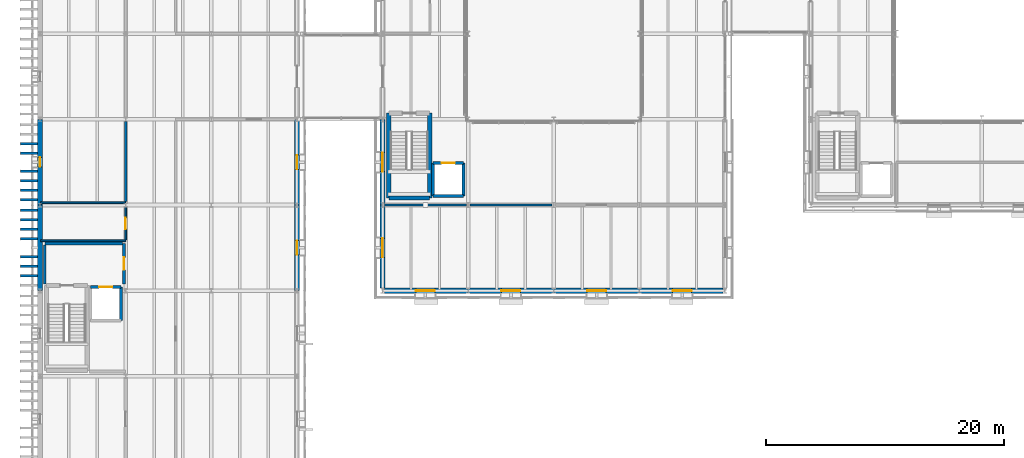
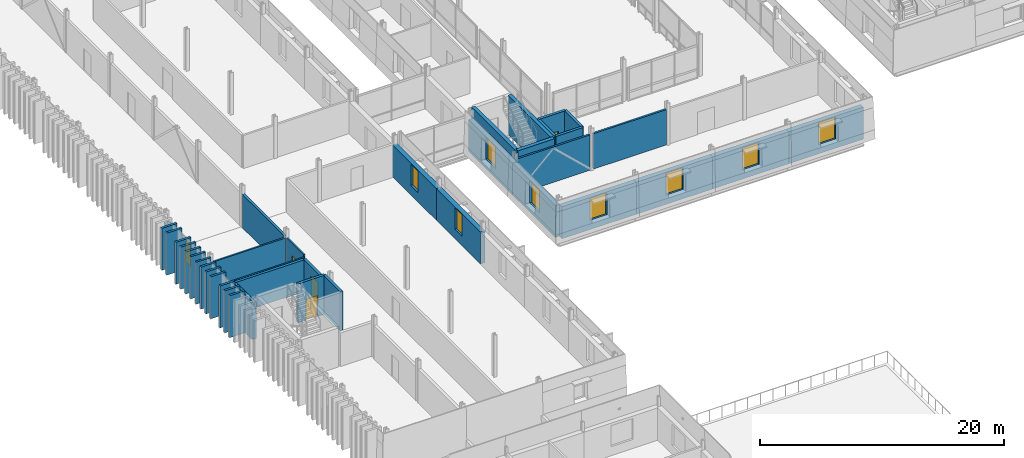
# One storey, part 67 of 115: 41 walls, 9 windows, 4 doors, 13 openings.
"""IFC4 building model written with IfcOpenShell, lengths in metres."""

from ifc_helpers import new_model, si_unit, direction, frame, frame_2d, origin, place, context, subcontext, project, spatial, rectangle, extrude, material, layer, layer_set, type_object, element, fill, save


model = new_model("IFC4")

# Units and contexts
model_context = context("Model", 3, precision=1e-05, world=origin(), true_north=direction((0.0, 1.0)))
body_context = subcontext(model_context, "Body", "Model", "MODEL_VIEW")
ifc_project = project(units=[si_unit("LENGTHUNIT", "METRE"), si_unit("AREAUNIT", "SQUARE_METRE"), si_unit("VOLUMEUNIT", "CUBIC_METRE"), si_unit("PLANEANGLEUNIT", "RADIAN"), si_unit("MASSUNIT", "GRAM", prefix="KILO")], contexts=[model_context])

# Site, building, storey
site_placement = place(None, origin())
site = spatial("IfcSite", under=ifc_project, at=site_placement, CompositionType="ELEMENT")
building_placement = place(site_placement, origin())
building = spatial("IfcBuilding", under=site, at=building_placement, Name="Narikvali Park Central Library", CompositionType="ELEMENT")
storey_placement = place(building_placement, frame((0.0, 0.0, 10.199951171875)))
storey = spatial("IfcBuildingStorey", under=building, at=storey_placement, Name="L02", CompositionType="ELEMENT", Elevation=10.199951171875)

# Wall
ifc_material_1 = material(Name="Reinforced Masonry Blockwork C30/37", Category="masonry")
ifc_layer_1 = layer(ifc_material_1, 0.219970703125, Name="Reinforced Masonry Blockwork C30/37")
ifc_layer_set_1 = layer_set([ifc_layer_1], Name="Reinforced Masonry Blockwork C30/37")
wall_type_1 = type_object("IfcWallType", Name="Archive Fire-Resisting Partition 220", PredefinedType="SOLIDWALL", material=ifc_layer_set_1)
wall_1_placement = place(storey_placement, frame((7.199951171875, 57.876953125, 0.0), z_axis=(0.0, 0.0, 1.0), x_axis=(0.0, 1.0, 0.0)))
element("IfcWall", 1, at=wall_1_placement, inside=storey, type_object=wall_type_1, Name="Compact Mobile Shelving Stacks L02 Partition E", PredefinedType="SOLIDWALL", context=body_context, shape_type="SweptSolid", body=[
    extrude(rectangle(XDim=6.7490234375, YDim=0.219970703125, at=frame_2d((3.37451171875, 0.0))), origin(), (0.0, 0.0, 1.0), 3.344970703125),
])

# Wall, opening, door
ifc_material_2 = material(Name="Autoclaved Concrete Blockwork C25/30", Category="masonry")
ifc_layer_2 = layer(ifc_material_2, 0.239990234375, Name="Autoclaved Concrete Blockwork C25/30")
ifc_layer_set_2 = layer_set([ifc_layer_2], Name="Autoclaved Concrete Blockwork C25/30")
wall_type_2 = type_object("IfcWallType", Name="Fire Compartment Concrete Block Wall 240", PredefinedType="SOLIDWALL", material=ifc_layer_set_2)
wall_2_placement = place(storey_placement, frame((7.050048828125, 50.949951171875, 0.0), z_axis=(0.0, 0.0, 1.0), x_axis=(0.0, 1.0, 0.0)))
wall_2 = element("IfcWall", 2, at=wall_2_placement, inside=storey, type_object=wall_type_2, Name="C5A L02 Firefighting Lobby Wall E", PredefinedType="SOLIDWALL", context=body_context, shape_type="SweptSolid", body=[
    extrude(rectangle(XDim=3.400146484375, YDim=0.239990234375, at=frame_2d((1.7001953125, 0.0))), origin(), (0.0, 0.0, 1.0), 3.16015625),
])
opening_1_placement = place(wall_2_placement, frame((1.199951171875, 0.0, 0.0)))
opening_1 = element("IfcOpeningElement", 3, at=opening_1_placement, cuts=wall_2, Name="Opening FF-043", PredefinedType="OPENING", context=body_context, shape_type="SweptSolid", body=[
    extrude(rectangle(XDim=1.050048828125, YDim=2.14990234375, at=frame_2d((0.52490234375, 1.074951171875))), frame((0.0, 0.1318359375, 0.0), z_axis=(0.0, -1.0, 0.0), x_axis=(1.0, 0.0, 0.0)), (0.0, 0.0, 1.0), 0.263916015625),
])
ifc_material_3 = material(Name="Powder-Coated Steel S275 Fire Leaf", Category="steel")
door_type_1 = type_object("IfcDoorType", Name="Firefighting Lobby Single Fire Door 1050x2150", OperationType="SINGLE_SWING_RIGHT", PredefinedType="DOOR", material=ifc_material_3)
door_1_placement = place(opening_1_placement, frame((1.050048828125, 0.0, 0.0), z_axis=(0.0, 0.0, 1.0), x_axis=(-1.0, 0.0, 0.0)))
door_1 = element("IfcDoor", 4, at=door_1_placement, inside=storey, type_object=door_type_1, Name="FF-01 L02 Firefighting Lobby Corridor Door", OperationType="SINGLE_SWING_RIGHT", OverallHeight=2.14990234375, OverallWidth=1.050048828125, PredefinedType="DOOR", context=body_context, shape_type="SweptSolid", body=[
    extrude(rectangle(XDim=1.050048828125, YDim=2.14990234375, at=frame_2d((0.52490234375, 1.074951171875))), frame((0.0, 0.02490234375, 0.0), z_axis=(0.0, -1.0, 0.0), x_axis=(1.0, 0.0, 0.0)), (0.0, 0.0, 1.0), 0.050048828125),
])
fill(opening_1, door_1)

# Walls
wall_3_placement = place(storey_placement, frame((0.39990234375, 54.35009765625, 0.0), z_axis=(0.0, 0.0, 1.0), x_axis=(1.0, 0.0, 0.0)))
element("IfcWall", 5, at=wall_3_placement, inside=storey, type_object=wall_type_2, Name="C5A L02 Firefighting Lobby Wall N", PredefinedType="SOLIDWALL", context=body_context, shape_type="SweptSolid", body=[
    extrude(rectangle(XDim=6.52001953125, YDim=0.239990234375, at=frame_2d((3.260009765625, 0.0))), origin(), (0.0, 0.0, 1.0), 3.16015625),
])
wall_4_placement = place(storey_placement, frame((0.39990234375, 50.949951171875, 0.0), z_axis=(0.0, 0.0, 1.0), x_axis=(0.0, 1.0, 0.0)))
element("IfcWall", 6, at=wall_4_placement, inside=storey, type_object=wall_type_2, Name="C5A L02 Firefighting Lobby Wall W", PredefinedType="SOLIDWALL", context=body_context, shape_type="SweptSolid", body=[
    extrude(rectangle(XDim=3.27001953125, YDim=0.239990234375, at=frame_2d((1.635009765625, 0.0))), origin(), (0.0, 0.0, 1.0), 3.16015625),
])
ifc_material_4 = material(Name="Kiln-Fired Terracotta Red Brick Masonry", Category="masonry")
ifc_layer_3 = layer(ifc_material_4, 0.199951171875, Name="Kiln-Fired Terracotta Red Brick Masonry")
ifc_layer_set_3 = layer_set([ifc_layer_3], Name="Kiln-Fired Terracotta Red Brick Masonry")
wall_type_3 = type_object("IfcWallType", Name="Kiln-Fired Red Brick Vertical Fin Wall 200", PredefinedType="SOLIDWALL", material=ifc_layer_set_3)
for number, where, z_axis, x_axis, name in (
    (7, (-1.659912109375, 51.64990234375, 0.0), (0.0, 0.0, 1.0), (1.0, 0.0, 0.0), "West Stacks Red Brick Vertical Fin Pier 129"),
    (8, (-1.659912109375, 52.449951171875, 0.0), (0.0, 0.0, 1.0), (1.0, 0.0, 0.0), "West Stacks Red Brick Vertical Fin Pier 135"),
    (9, (-1.659912109375, 53.25, 0.0), (0.0, 0.0, 1.0), (1.0, 0.0, 0.0), "West Stacks Red Brick Vertical Fin Pier 141"),
    (10, (-1.659912109375, 54.75, 0.0), (0.0, 0.0, 1.0), (1.0, 0.0, 0.0), "West Stacks Red Brick Vertical Fin Pier 147"),
    (11, (-1.659912109375, 55.550048828125, 0.0), (0.0, 0.0, 1.0), (1.0, 0.0, 0.0), "West Stacks Red Brick Vertical Fin Pier 153"),
    (12, (-1.659912109375, 56.35009765625, 0.0), (0.0, 0.0, 1.0), (1.0, 0.0, 0.0), "West Stacks Red Brick Vertical Fin Pier 159"),
    (13, (-1.659912109375, 57.14990234375, 0.0), (0.0, 0.0, 1.0), (1.0, 0.0, 0.0), "West Stacks Red Brick Vertical Fin Pier 165"),
    (14, (-1.659912109375, 58.050048828125, 0.0), (0.0, 0.0, 1.0), (1.0, 0.0, 0.0), "West Stacks Red Brick Vertical Fin Pier 171"),
    (15, (-1.659912109375, 58.85009765625, 0.0), (0.0, 0.0, 1.0), (1.0, 0.0, 0.0), "West Stacks Red Brick Vertical Fin Pier 177"),
    (16, (-1.659912109375, 59.64990234375, 0.0), (0.0, 0.0, 1.0), (1.0, 0.0, 0.0), "West Stacks Red Brick Vertical Fin Pier 183"),
    (17, (-1.659912109375, 60.449951171875, 0.0), (0.0, 0.0, 1.0), (1.0, 0.0, 0.0), "West Stacks Red Brick Vertical Fin Pier 189"),
    (18, (-1.659912109375, 61.949951171875, 0.0), (0.0, 0.0, 1.0), (1.0, 0.0, 0.0), "West Stacks Red Brick Vertical Fin Pier 195"),
    (19, (-1.659912109375, 62.75, 0.0), (0.0, 0.0, 1.0), (1.0, 0.0, 0.0), "West Stacks Red Brick Vertical Fin Pier 201"),
):
    element("IfcWall", number, at=place(storey_placement, frame(where, z_axis=z_axis, x_axis=x_axis)), inside=storey, type_object=wall_type_3, Name=name, PredefinedType="SOLIDWALL", context=body_context, shape_type="SweptSolid", body=[
        extrude(rectangle(XDim=1.43994140625, YDim=0.199951171875, at=frame_2d((0.719970703125, 0.0))), origin(), (0.0, 0.0, 1.0), 4.199951171875),
    ])
ifc_material_5 = material(Name="Moisture-Resistant Cement Board on Steel Studs", Category="steel")
ifc_layer_4 = layer(ifc_material_5, 0.14990234375, Name="Moisture-Resistant Cement Board on Steel Studs")
ifc_layer_set_4 = layer_set([ifc_layer_4], Name="Moisture-Resistant Cement Board on Steel Studs")
wall_type_4 = type_object("IfcWallType", Name="Moisture-Resistant WC Partition 150", PredefinedType="PARTITIONING", material=ifc_layer_set_4)
for number, where, z_axis, x_axis, name in (
    (20, (0.054931640625, 54.60009765625, 0.0), (0.0, 0.0, 1.0), (1.0, 0.0, 0.0), "Stacks Wing Accessible WC L02 Partition S"),
    (21, (0.054931640625, 57.800048828125, 0.0), (0.0, 0.0, 1.0), (1.0, 0.0, 0.0), "Stacks Wing Accessible WC L02 Partition N"),
):
    element("IfcWall", number, at=place(storey_placement, frame(where, z_axis=z_axis, x_axis=x_axis)), inside=storey, type_object=wall_type_4, Name=name, PredefinedType="PARTITIONING", context=body_context, shape_type="SweptSolid", body=[
        extrude(rectangle(XDim=7.14501953125, YDim=0.14990234375, at=frame_2d((3.572509765625, 0.0))), origin(), (0.0, 0.0, 1.0), 3.132080078125),
    ])

# Wall, opening, door
wall_5_placement = place(storey_placement, frame((7.199951171875, 54.677001953125, 0.0), z_axis=(0.0, 0.0, 1.0), x_axis=(0.0, 1.0, 0.0)))
wall_5 = element("IfcWall", 22, at=wall_5_placement, inside=storey, type_object=wall_type_4, Name="Stacks Wing Accessible WC L02 Partition E", PredefinedType="PARTITIONING", context=body_context, shape_type="SweptSolid", body=[
    extrude(rectangle(XDim=2.7490234375, YDim=0.14990234375, at=frame_2d((1.37451171875, 0.0))), origin(), (0.0, 0.0, 1.0), 3.344970703125),
])
opening_2_placement = place(wall_5_placement, frame((0.884521484375, 0.0, 0.0)))
opening_2 = element("IfcOpeningElement", 23, at=opening_2_placement, cuts=wall_5, Name="Opening ID-0020", PredefinedType="OPENING", context=body_context, shape_type="SweptSolid", body=[
    extrude(rectangle(XDim=0.97998046875, YDim=2.10009765625, at=frame_2d((0.489990234375, 1.050048828125))), frame((0.0, 0.0869140625, 0.0), z_axis=(0.0, -1.0, 0.0), x_axis=(1.0, 0.0, 0.0)), (0.0, 0.0, 1.0), 0.173828125),
])
ifc_material_6 = material(Name="Laminate Faced Hardwood Core", Category="wood")
door_type_2 = type_object("IfcDoorType", Name="Accessible WC Outward-Opening Door 980x2100", OperationType="SINGLE_SWING_RIGHT", PredefinedType="DOOR", material=ifc_material_6)
door_2_placement = place(opening_2_placement, frame((0.97998046875, 0.0, 0.0), z_axis=(0.0, 0.0, 1.0), x_axis=(-1.0, 0.0, 0.0)))
door_2 = element("IfcDoor", 24, at=door_2_placement, inside=storey, type_object=door_type_2, Name="Stacks Wing Accessible WC L02 Door ID-0020", OperationType="SINGLE_SWING_RIGHT", OverallHeight=2.10009765625, OverallWidth=0.97998046875, PredefinedType="DOOR", context=body_context, shape_type="SweptSolid", body=[
    extrude(rectangle(XDim=0.97998046875, YDim=2.10009765625, at=frame_2d((0.489990234375, 1.050048828125))), frame((0.0, 0.02490234375, 0.0), z_axis=(0.0, -1.0, 0.0), x_axis=(1.0, 0.0, 0.0)), (0.0, 0.0, 1.0), 0.050048828125),
])
fill(opening_2, door_2)

# Walls
ifc_material_7 = material(Name="Acoustic Gypsum on Steel Studs", Category="steel")
ifc_layer_5 = layer(ifc_material_7, 0.179931640625, Name="Acoustic Gypsum on Steel Studs")
ifc_layer_set_5 = layer_set([ifc_layer_5], Name="Acoustic Gypsum on Steel Studs")
wall_type_5 = type_object("IfcWallType", Name="Reading Room Acoustic Partition 180", PredefinedType="PARTITIONING", material=ifc_layer_set_5)
for number, where, z_axis, x_axis, name in (
    (25, (28.9541015625, 57.60009765625, 0.0), (0.0, 0.0, 1.0), (1.0, 0.0, 0.0), "Atrium Park-View Reading Room L02 Partition N"),
    (26, (36.154052734375, 57.60009765625, 0.0), (0.0, 0.0, 1.0), (1.0, 0.0, 0.0), "Atrium Park-View Reading Room L02 Partition N"),
):
    element("IfcWall", number, at=place(storey_placement, frame(where, z_axis=z_axis, x_axis=x_axis)), inside=storey, type_object=wall_type_5, Name=name, PredefinedType="PARTITIONING", context=body_context, shape_type="SweptSolid", body=[
        extrude(rectangle(XDim=6.891845703125, YDim=0.179931640625, at=frame_2d((3.44580078125, 0.0))), origin(), (0.0, 0.0, 1.0), 3.53515625),
    ])
ifc_material_8 = material(Name="Concrete C40/50", Category="concrete")
ifc_layer_6 = layer(ifc_material_8, 0.35009765625, Name="Concrete C40/50")
ifc_layer_set_6 = layer_set([ifc_layer_6], Name="Concrete C40/50")
wall_type_6 = type_object("IfcWallType", Name="Reinforced Concrete Core Shear Wall 350", PredefinedType="SHEAR", material=ifc_layer_set_6)
wall_6_placement = place(storey_placement, frame((29.330078125, 58.179931640625, 0.0), z_axis=(0.0, 0.0, 1.0), x_axis=(1.0, 0.0, 0.0)))
element("IfcWall", 27, at=wall_6_placement, inside=storey, type_object=wall_type_6, Name="C4A L02 Stair Core Shear Wall S", PredefinedType="SHEAR", context=body_context, shape_type="SweptSolid", body=[
    extrude(rectangle(XDim=3.43994140625, YDim=0.35009765625, at=frame_2d((1.719970703125, 0.0))), origin(), (0.0, 0.0, 1.0), 3.920166015625),
])
for number, where, z_axis, x_axis, name in (
    (28, (32.77001953125, 58.179931640625, 0.0), (0.0, 0.0, 1.0), (0.0, 1.0, 0.0), "C4A L02 Stair Core Shear Wall E"),
    (29, (29.330078125, 65.320068359375, 0.0), (0.0, 0.0, 1.0), (0.0, -1.0, 0.0), "C4A L02 Stair Core Shear Wall W"),
):
    element("IfcWall", number, at=place(storey_placement, frame(where, z_axis=z_axis, x_axis=x_axis)), inside=storey, type_object=wall_type_6, Name=name, PredefinedType="SHEAR", context=body_context, shape_type="SweptSolid", body=[
        extrude(rectangle(XDim=7.14013671875, YDim=0.35009765625, at=frame_2d((3.570068359375, 0.0))), origin(), (0.0, 0.0, 1.0), 3.920166015625),
    ])
ifc_layer_7 = layer(ifc_material_8, 0.25, Name="Concrete C40/50")
ifc_layer_set_7 = layer_set([ifc_layer_7], Name="Concrete C40/50")
wall_type_7 = type_object("IfcWallType", Name="Reinforced Concrete Lift Shaft Wall 250", PredefinedType="SHEAR", material=ifc_layer_set_7)
wall_7_placement = place(storey_placement, frame((33.050048828125, 58.35009765625, 0.0), z_axis=(0.0, 0.0, 1.0), x_axis=(1.0, 0.0, 0.0)))
element("IfcWall", 30, at=wall_7_placement, inside=storey, type_object=wall_type_7, Name="L-05 L02 Lift Shaft Wall S", PredefinedType="SHEAR", context=body_context, shape_type="SweptSolid", body=[
    extrude(rectangle(XDim=2.550048828125, YDim=0.25, at=frame_2d((1.27490234375, 0.0))), origin(), (0.0, 0.0, 1.0), 3.920166015625),
])
wall_8_placement = place(storey_placement, frame((35.60009765625, 58.35009765625, 0.0), z_axis=(0.0, 0.0, 1.0), x_axis=(0.0, 1.0, 0.0)))
element("IfcWall", 31, at=wall_8_placement, inside=storey, type_object=wall_type_7, Name="L-05 L02 Lift Shaft Wall E", PredefinedType="SHEAR", context=body_context, shape_type="SweptSolid", body=[
    extrude(rectangle(XDim=2.7998046875, YDim=0.25, at=frame_2d((1.39990234375, 0.0))), origin(), (0.0, 0.0, 1.0), 3.920166015625),
])

# Wall, opening, door
wall_9_placement = place(storey_placement, frame((35.60009765625, 61.14990234375, 0.0), z_axis=(0.0, 0.0, 1.0), x_axis=(-1.0, 0.0, 0.0)))
wall_9 = element("IfcWall", 32, at=wall_9_placement, inside=storey, type_object=wall_type_7, Name="L-05 L02 Lift Shaft Wall N", PredefinedType="SHEAR", context=body_context, shape_type="SweptSolid", body=[
    extrude(rectangle(XDim=2.550048828125, YDim=0.25, at=frame_2d((1.27490234375, 0.0))), origin(), (0.0, 0.0, 1.0), 3.920166015625),
])
opening_3_placement = place(wall_9_placement, frame((0.72509765625, 0.0, 0.0)))
opening_3 = element("IfcOpeningElement", 33, at=opening_3_placement, cuts=wall_9, Name="Opening LD-025", PredefinedType="OPENING", context=body_context, shape_type="SweptSolid", body=[
    extrude(rectangle(XDim=1.10009765625, YDim=2.10009765625, at=frame_2d((0.550048828125, 1.050048828125))), frame((0.0, 0.136962890625, 0.0), z_axis=(0.0, -1.0, 0.0), x_axis=(1.0, 0.0, 0.0)), (0.0, 0.0, 1.0), 0.27392578125),
])
ifc_material_9 = material(Name="Brushed Stainless Steel S355", Category="steel")
door_type_3 = type_object("IfcDoorType", Name="Passenger Lift Sliding Landing Door 1100x2100", OperationType="SLIDING_TO_LEFT", PredefinedType="DOOR", material=ifc_material_9)
door_3_placement = place(opening_3_placement, origin())
door_3 = element("IfcDoor", 34, at=door_3_placement, inside=storey, type_object=door_type_3, Name="L-05 L02 Lift Landing Sliding Door LD-025", OperationType="SLIDING_TO_LEFT", OverallHeight=2.10009765625, OverallWidth=1.10009765625, PredefinedType="DOOR", context=body_context, shape_type="SweptSolid", body=[
    extrude(rectangle(XDim=1.10009765625, YDim=2.10009765625, at=frame_2d((0.550048828125, 1.050048828125))), frame((0.0, 0.02490234375, 0.0), z_axis=(0.0, -1.0, 0.0), x_axis=(1.0, 0.0, 0.0)), (0.0, 0.0, 1.0), 0.050048828125),
])
fill(opening_3, door_3)

# Walls
wall_10_placement = place(storey_placement, frame((33.050048828125, 61.14990234375, 0.0), z_axis=(0.0, 0.0, 1.0), x_axis=(0.0, -1.0, 0.0)))
element("IfcWall", 35, at=wall_10_placement, inside=storey, type_object=wall_type_7, Name="L-05 L02 Lift Shaft Wall W", PredefinedType="SHEAR", context=body_context, shape_type="SweptSolid", body=[
    extrude(rectangle(XDim=2.7998046875, YDim=0.25, at=frame_2d((1.39990234375, 0.0))), origin(), (0.0, 0.0, 1.0), 3.920166015625),
])
wall_11_placement = place(storey_placement, frame((6.800048828125, 47.89990234375, 0.0), z_axis=(0.0, 0.0, 1.0), x_axis=(0.0, 1.0, 0.0)))
element("IfcWall", 36, at=wall_11_placement, inside=storey, type_object=wall_type_7, Name="FF-01 L02 Lift Shaft Wall E", PredefinedType="SHEAR", context=body_context, shape_type="SweptSolid", body=[
    extrude(rectangle(XDim=2.800048828125, YDim=0.25, at=frame_2d((1.39990234375, 0.0))), origin(), (0.0, 0.0, 1.0), 3.900146484375),
])

# Wall, opening, door
wall_12_placement = place(storey_placement, frame((6.800048828125, 50.699951171875, 0.0), z_axis=(0.0, 0.0, 1.0), x_axis=(-1.0, 0.0, 0.0)))
wall_12 = element("IfcWall", 37, at=wall_12_placement, inside=storey, type_object=wall_type_7, Name="FF-01 L02 Lift Shaft Wall N", PredefinedType="SHEAR", context=body_context, shape_type="SweptSolid", body=[
    extrude(rectangle(XDim=2.550048828125, YDim=0.25, at=frame_2d((1.27490234375, 0.0))), origin(), (0.0, 0.0, 1.0), 3.900146484375),
])
opening_4_placement = place(wall_12_placement, frame((0.72509765625, 0.0, 0.0)))
opening_4 = element("IfcOpeningElement", 38, at=opening_4_placement, cuts=wall_12, Name="Opening LD-037", PredefinedType="OPENING", context=body_context, shape_type="SweptSolid", body=[
    extrude(rectangle(XDim=1.10009765625, YDim=2.10009765625, at=frame_2d((0.550048828125, 1.050048828125))), frame((0.0, 0.136962890625, 0.0), z_axis=(0.0, -1.0, 0.0), x_axis=(1.0, 0.0, 0.0)), (0.0, 0.0, 1.0), 0.27392578125),
])
door_type_4 = type_object("IfcDoorType", Name="Firefighting Lift Sliding Landing Door 1100x2100", OperationType="SLIDING_TO_RIGHT", PredefinedType="DOOR", material=ifc_material_9)
door_4_placement = place(opening_4_placement, origin())
door_4 = element("IfcDoor", 39, at=door_4_placement, inside=storey, type_object=door_type_4, Name="FF-01 L02 Lift Landing Sliding Door LD-037", OperationType="SLIDING_TO_RIGHT", OverallHeight=2.10009765625, OverallWidth=1.10009765625, PredefinedType="DOOR", context=body_context, shape_type="SweptSolid", body=[
    extrude(rectangle(XDim=1.10009765625, YDim=2.10009765625, at=frame_2d((0.550048828125, 1.050048828125))), frame((0.0, 0.02490234375, 0.0), z_axis=(0.0, -1.0, 0.0), x_axis=(1.0, 0.0, 0.0)), (0.0, 0.0, 1.0), 0.050048828125),
])
fill(opening_4, door_4)

# Wall, opening, window
ifc_material_10 = material(Name="White Honed Limestone over Concrete C35/45", Category="masonry")
ifc_layer_8 = layer(ifc_material_10, 0.43994140625, Name="White Honed Limestone over Concrete C35/45")
ifc_layer_set_8 = layer_set([ifc_layer_8], Name="White Honed Limestone over Concrete C35/45")
wall_type_8 = type_object("IfcWallType", Name="White Limestone Battered Tier2 Wall 440", PredefinedType="SOLIDWALL", material=ifc_layer_set_8)
wall_13_placement = place(storey_placement, frame((28.9541015625, 50.39990234375, 0.0), z_axis=(0.0, 0.0, 1.0), x_axis=(1.0, 0.0, 0.0)))
wall_13 = element("IfcWall", 40, at=wall_13_placement, inside=storey, type_object=wall_type_8, Name="V4 L02 S Exterior Limestone Wall B01", PredefinedType="SOLIDWALL", context=body_context, shape_type="SweptSolid", body=[
    extrude(rectangle(XDim=7.0458984375, YDim=0.43994140625, at=frame_2d((3.52294921875, 0.0))), origin(), (0.0, 0.0, 1.0), 3.199951171875),
])
opening_5_placement = place(wall_13_placement, frame((2.64599609375, 0.0, 0.919921875)))
opening_5 = element("IfcOpeningElement", 41, at=opening_5_placement, cuts=wall_13, Name="Opening WIN-0164", PredefinedType="OPENING", context=body_context, shape_type="SweptSolid", body=[
    extrude(rectangle(XDim=1.60009765625, YDim=2.199951171875, at=frame_2d((0.800048828125, 1.10009765625))), frame((0.0, 0.23193359375, 0.0), z_axis=(0.0, -1.0, 0.0), x_axis=(1.0, 0.0, 0.0)), (0.0, 0.0, 1.0), 0.4638671875),
])
ifc_material_11 = material(Name="Anodised Bronze Aluminium and Low-E Triple Glazing", Category="aluminium")
window_type_1 = type_object("IfcWindowType", Name="Atrium Reading Wing Classical Window 1600x2200", PartitioningType="DOUBLE_PANEL_VERTICAL", PredefinedType="WINDOW", material=ifc_material_11)
window_1_placement = place(opening_5_placement, origin())
window_1 = element("IfcWindow", 42, at=window_1_placement, inside=storey, type_object=window_type_1, Name="V4 L02 S Deep-Reveal Window WIN-0164", OverallHeight=2.199951171875, OverallWidth=1.60009765625, PartitioningType="SINGLE_PANEL", PredefinedType="WINDOW", context=body_context, shape_type="SweptSolid", body=[
    extrude(rectangle(XDim=1.60009765625, YDim=2.199951171875, at=frame_2d((0.800048828125, 1.10009765625))), frame((0.0, 0.030029296875, 0.0), z_axis=(0.0, -1.0, 0.0), x_axis=(1.0, 0.0, 0.0)), (0.0, 0.0, 1.0), 0.06005859375),
])
fill(opening_5, window_1)

wall_14_placement = place(storey_placement, frame((36.0, 50.39990234375, 0.0), z_axis=(0.0, 0.0, 1.0), x_axis=(1.0, 0.0, 0.0)))
wall_14 = element("IfcWall", 43, at=wall_14_placement, inside=storey, type_object=wall_type_8, Name="V4 L02 S Exterior Limestone Wall B02", PredefinedType="SOLIDWALL", context=body_context, shape_type="SweptSolid", body=[
    extrude(rectangle(XDim=7.199951171875, YDim=0.43994140625, at=frame_2d((3.60009765625, 0.0))), origin(), (0.0, 0.0, 1.0), 3.199951171875),
])
opening_6_placement = place(wall_14_placement, frame((2.800048828125, 0.0, 0.919921875)))
opening_6 = element("IfcOpeningElement", 44, at=opening_6_placement, cuts=wall_14, Name="Opening WIN-0165", PredefinedType="OPENING", context=body_context, shape_type="SweptSolid", body=[
    extrude(rectangle(XDim=1.60009765625, YDim=2.199951171875, at=frame_2d((0.800048828125, 1.10009765625))), frame((0.0, 0.23193359375, 0.0), z_axis=(0.0, -1.0, 0.0), x_axis=(1.0, 0.0, 0.0)), (0.0, 0.0, 1.0), 0.4638671875),
])
window_2_placement = place(opening_6_placement, origin())
window_2 = element("IfcWindow", 45, at=window_2_placement, inside=storey, type_object=window_type_1, Name="V4 L02 S Deep-Reveal Window WIN-0165", OverallHeight=2.199951171875, OverallWidth=1.60009765625, PartitioningType="SINGLE_PANEL", PredefinedType="WINDOW", context=body_context, shape_type="SweptSolid", body=[
    extrude(rectangle(XDim=1.60009765625, YDim=2.199951171875, at=frame_2d((0.800048828125, 1.10009765625))), frame((0.0, 0.030029296875, 0.0), z_axis=(0.0, -1.0, 0.0), x_axis=(1.0, 0.0, 0.0)), (0.0, 0.0, 1.0), 0.06005859375),
])
fill(opening_6, window_2)

wall_15_placement = place(storey_placement, frame((43.199951171875, 50.39990234375, 0.0), z_axis=(0.0, 0.0, 1.0), x_axis=(1.0, 0.0, 0.0)))
wall_15 = element("IfcWall", 46, at=wall_15_placement, inside=storey, type_object=wall_type_8, Name="V4 L02 S Exterior Limestone Wall B03", PredefinedType="SOLIDWALL", context=body_context, shape_type="SweptSolid", body=[
    extrude(rectangle(XDim=7.199951171875, YDim=0.43994140625, at=frame_2d((3.60009765625, 0.0))), origin(), (0.0, 0.0, 1.0), 3.199951171875),
])
opening_7_placement = place(wall_15_placement, frame((2.800048828125, 0.0, 0.919921875)))
opening_7 = element("IfcOpeningElement", 47, at=opening_7_placement, cuts=wall_15, Name="Opening WIN-0166", PredefinedType="OPENING", context=body_context, shape_type="SweptSolid", body=[
    extrude(rectangle(XDim=1.60009765625, YDim=2.199951171875, at=frame_2d((0.800048828125, 1.10009765625))), frame((0.0, 0.23193359375, 0.0), z_axis=(0.0, -1.0, 0.0), x_axis=(1.0, 0.0, 0.0)), (0.0, 0.0, 1.0), 0.4638671875),
])
window_3_placement = place(opening_7_placement, origin())
window_3 = element("IfcWindow", 48, at=window_3_placement, inside=storey, type_object=window_type_1, Name="V4 L02 S Deep-Reveal Window WIN-0166", OverallHeight=2.199951171875, OverallWidth=1.60009765625, PartitioningType="SINGLE_PANEL", PredefinedType="WINDOW", context=body_context, shape_type="SweptSolid", body=[
    extrude(rectangle(XDim=1.60009765625, YDim=2.199951171875, at=frame_2d((0.800048828125, 1.10009765625))), frame((0.0, 0.030029296875, 0.0), z_axis=(0.0, -1.0, 0.0), x_axis=(1.0, 0.0, 0.0)), (0.0, 0.0, 1.0), 0.06005859375),
])
fill(opening_7, window_3)

wall_16_placement = place(storey_placement, frame((50.39990234375, 50.39990234375, 0.0), z_axis=(0.0, 0.0, 1.0), x_axis=(1.0, 0.0, 0.0)))
wall_16 = element("IfcWall", 49, at=wall_16_placement, inside=storey, type_object=wall_type_8, Name="V4 L02 S Exterior Limestone Wall B04", PredefinedType="SOLIDWALL", context=body_context, shape_type="SweptSolid", body=[
    extrude(rectangle(XDim=7.046142578125, YDim=0.43994140625, at=frame_2d((3.52294921875, 0.0))), origin(), (0.0, 0.0, 1.0), 3.199951171875),
])
opening_8_placement = place(wall_16_placement, frame((2.800048828125, 0.0, 0.919921875)))
opening_8 = element("IfcOpeningElement", 50, at=opening_8_placement, cuts=wall_16, Name="Opening WIN-0167", PredefinedType="OPENING", context=body_context, shape_type="SweptSolid", body=[
    extrude(rectangle(XDim=1.60009765625, YDim=2.199951171875, at=frame_2d((0.800048828125, 1.10009765625))), frame((0.0, 0.23193359375, 0.0), z_axis=(0.0, -1.0, 0.0), x_axis=(1.0, 0.0, 0.0)), (0.0, 0.0, 1.0), 0.4638671875),
])
window_4_placement = place(opening_8_placement, origin())
window_4 = element("IfcWindow", 51, at=window_4_placement, inside=storey, type_object=window_type_1, Name="V4 L02 S Deep-Reveal Window WIN-0167", OverallHeight=2.199951171875, OverallWidth=1.60009765625, PartitioningType="SINGLE_PANEL", PredefinedType="WINDOW", context=body_context, shape_type="SweptSolid", body=[
    extrude(rectangle(XDim=1.60009765625, YDim=2.199951171875, at=frame_2d((0.800048828125, 1.10009765625))), frame((0.0, 0.030029296875, 0.0), z_axis=(0.0, -1.0, 0.0), x_axis=(1.0, 0.0, 0.0)), (0.0, 0.0, 1.0), 0.06005859375),
])
fill(opening_8, window_4)

wall_17_placement = place(storey_placement, frame((28.800048828125, 64.800048828125, 0.0), z_axis=(0.0, 0.0, 1.0), x_axis=(0.0, -1.0, 0.0)))
wall_17 = element("IfcWall", 52, at=wall_17_placement, inside=storey, type_object=wall_type_8, Name="V4 L02 W Exterior Limestone Wall B08", PredefinedType="SOLIDWALL", context=body_context, shape_type="SweptSolid", body=[
    extrude(rectangle(XDim=7.199951171875, YDim=0.43994140625, at=frame_2d((3.60009765625, 0.0))), origin(), (0.0, 0.0, 1.0), 3.199951171875),
])
opening_9_placement = place(wall_17_placement, frame((2.800048828125, 0.0, 0.919921875)))
opening_9 = element("IfcOpeningElement", 53, at=opening_9_placement, cuts=wall_17, Name="Opening WIN-0183", PredefinedType="OPENING", context=body_context, shape_type="SweptSolid", body=[
    extrude(rectangle(XDim=1.60009765625, YDim=2.199951171875, at=frame_2d((0.800048828125, 1.10009765625))), frame((0.0, 0.23193359375, 0.0), z_axis=(0.0, -1.0, 0.0), x_axis=(1.0, 0.0, 0.0)), (0.0, 0.0, 1.0), 0.4638671875),
])
window_5_placement = place(opening_9_placement, origin())
window_5 = element("IfcWindow", 54, at=window_5_placement, inside=storey, type_object=window_type_1, Name="V4 L02 W Deep-Reveal Window WIN-0183", OverallHeight=2.199951171875, OverallWidth=1.60009765625, PartitioningType="SINGLE_PANEL", PredefinedType="WINDOW", context=body_context, shape_type="SweptSolid", body=[
    extrude(rectangle(XDim=1.60009765625, YDim=2.199951171875, at=frame_2d((0.800048828125, 1.10009765625))), frame((0.0, 0.030029296875, 0.0), z_axis=(0.0, -1.0, 0.0), x_axis=(1.0, 0.0, 0.0)), (0.0, 0.0, 1.0), 0.06005859375),
])
fill(opening_9, window_5)

wall_18_placement = place(storey_placement, frame((28.800048828125, 57.60009765625, 0.0), z_axis=(0.0, 0.0, 1.0), x_axis=(0.0, -1.0, 0.0)))
wall_18 = element("IfcWall", 55, at=wall_18_placement, inside=storey, type_object=wall_type_8, Name="V4 L02 W Exterior Limestone Wall B09", PredefinedType="SOLIDWALL", context=body_context, shape_type="SweptSolid", body=[
    extrude(rectangle(XDim=6.99609375, YDim=0.43994140625, at=frame_2d((3.498046875, 0.0))), origin(), (0.0, 0.0, 1.0), 3.199951171875),
])
opening_10_placement = place(wall_18_placement, frame((2.800048828125, 0.0, 0.919921875)))
opening_10 = element("IfcOpeningElement", 56, at=opening_10_placement, cuts=wall_18, Name="Opening WIN-0184", PredefinedType="OPENING", context=body_context, shape_type="SweptSolid", body=[
    extrude(rectangle(XDim=1.60009765625, YDim=2.199951171875, at=frame_2d((0.800048828125, 1.10009765625))), frame((0.0, 0.23193359375, 0.0), z_axis=(0.0, -1.0, 0.0), x_axis=(1.0, 0.0, 0.0)), (0.0, 0.0, 1.0), 0.4638671875),
])
window_6_placement = place(opening_10_placement, origin())
window_6 = element("IfcWindow", 57, at=window_6_placement, inside=storey, type_object=window_type_1, Name="V4 L02 W Deep-Reveal Window WIN-0184", OverallHeight=2.199951171875, OverallWidth=1.60009765625, PartitioningType="SINGLE_PANEL", PredefinedType="WINDOW", context=body_context, shape_type="SweptSolid", body=[
    extrude(rectangle(XDim=1.60009765625, YDim=2.199951171875, at=frame_2d((0.800048828125, 1.10009765625))), frame((0.0, 0.030029296875, 0.0), z_axis=(0.0, -1.0, 0.0), x_axis=(1.0, 0.0, 0.0)), (0.0, 0.0, 1.0), 0.06005859375),
])
fill(opening_10, window_6)

wall_19_placement = place(storey_placement, frame((21.60009765625, 50.39990234375, 0.0), z_axis=(0.0, 0.0, 1.0), x_axis=(0.0, 1.0, 0.0)))
wall_19 = element("IfcWall", 58, at=wall_19_placement, inside=storey, type_object=wall_type_8, Name="V5 L02 E Exterior Limestone Wall B04", PredefinedType="SOLIDWALL", context=body_context, shape_type="SweptSolid", body=[
    extrude(rectangle(XDim=7.2001953125, YDim=0.43994140625, at=frame_2d((3.60009765625, 0.0))), origin(), (0.0, 0.0, 1.0), 3.179931640625),
])
opening_11_placement = place(wall_19_placement, frame((3.0, 0.0, 0.949951171875)))
opening_11 = element("IfcOpeningElement", 59, at=opening_11_placement, cuts=wall_19, Name="Opening WIN-0266", PredefinedType="OPENING", context=body_context, shape_type="SweptSolid", body=[
    extrude(rectangle(XDim=1.199951171875, YDim=2.14990234375, at=frame_2d((0.60009765625, 1.074951171875))), frame((0.0, 0.23193359375, 0.0), z_axis=(0.0, -1.0, 0.0), x_axis=(1.0, 0.0, 0.0)), (0.0, 0.0, 1.0), 0.4638671875),
])
window_type_2 = type_object("IfcWindowType", Name="Stacks Archive Deep-Reveal Punched Window 1200x2150", PartitioningType="SINGLE_PANEL", PredefinedType="WINDOW", material=ifc_material_11)
window_7_placement = place(opening_11_placement, origin())
window_7 = element("IfcWindow", 60, at=window_7_placement, inside=storey, type_object=window_type_2, Name="V5 L02 E Deep-Reveal Window WIN-0266", OverallHeight=2.14990234375, OverallWidth=1.199951171875, PartitioningType="SINGLE_PANEL", PredefinedType="WINDOW", context=body_context, shape_type="SweptSolid", body=[
    extrude(rectangle(XDim=1.199951171875, YDim=2.14990234375, at=frame_2d((0.60009765625, 1.074951171875))), frame((0.0, 0.030029296875, 0.0), z_axis=(0.0, -1.0, 0.0), x_axis=(1.0, 0.0, 0.0)), (0.0, 0.0, 1.0), 0.06005859375),
])
fill(opening_11, window_7)

wall_20_placement = place(storey_placement, frame((21.60009765625, 57.60009765625, 0.0), z_axis=(0.0, 0.0, 1.0), x_axis=(0.0, 1.0, 0.0)))
wall_20 = element("IfcWall", 61, at=wall_20_placement, inside=storey, type_object=wall_type_8, Name="V5 L02 E Exterior Limestone Wall B05", PredefinedType="SOLIDWALL", context=body_context, shape_type="SweptSolid", body=[
    extrude(rectangle(XDim=7.199951171875, YDim=0.43994140625, at=frame_2d((3.60009765625, 0.0))), origin(), (0.0, 0.0, 1.0), 3.179931640625),
])
opening_12_placement = place(wall_20_placement, frame((3.0, 0.0, 0.949951171875)))
opening_12 = element("IfcOpeningElement", 62, at=opening_12_placement, cuts=wall_20, Name="Opening WIN-0267", PredefinedType="OPENING", context=body_context, shape_type="SweptSolid", body=[
    extrude(rectangle(XDim=1.199951171875, YDim=2.14990234375, at=frame_2d((0.60009765625, 1.074951171875))), frame((0.0, 0.23193359375, 0.0), z_axis=(0.0, -1.0, 0.0), x_axis=(1.0, 0.0, 0.0)), (0.0, 0.0, 1.0), 0.4638671875),
])
window_8_placement = place(opening_12_placement, origin())
window_8 = element("IfcWindow", 63, at=window_8_placement, inside=storey, type_object=window_type_2, Name="V5 L02 E Deep-Reveal Window WIN-0267", OverallHeight=2.14990234375, OverallWidth=1.199951171875, PartitioningType="SINGLE_PANEL", PredefinedType="WINDOW", context=body_context, shape_type="SweptSolid", body=[
    extrude(rectangle(XDim=1.199951171875, YDim=2.14990234375, at=frame_2d((0.60009765625, 1.074951171875))), frame((0.0, 0.030029296875, 0.0), z_axis=(0.0, -1.0, 0.0), x_axis=(1.0, 0.0, 0.0)), (0.0, 0.0, 1.0), 0.06005859375),
])
fill(opening_12, window_8)

wall_21_placement = place(storey_placement, frame((0.0, 64.800048828125, 0.0), z_axis=(0.0, 0.0, 1.0), x_axis=(0.0, -1.0, 0.0)))
wall_21 = element("IfcWall", 64, at=wall_21_placement, inside=storey, type_object=wall_type_8, Name="V5 L02 W Exterior Limestone Wall B07", PredefinedType="SOLIDWALL", context=body_context, shape_type="SweptSolid", body=[
    extrude(rectangle(XDim=7.199951171875, YDim=0.43994140625, at=frame_2d((3.60009765625, 0.0))), origin(), (0.0, 0.0, 1.0), 3.02001953125),
])
opening_13_placement = place(wall_21_placement, frame((3.199951171875, 0.0, 0.949951171875)))
opening_13 = element("IfcOpeningElement", 65, at=opening_13_placement, cuts=wall_21, Name="Opening WIN-0280", PredefinedType="OPENING", context=body_context, shape_type="SweptSolid", body=[
    extrude(rectangle(XDim=0.800048828125, YDim=2.14990234375, at=frame_2d((0.39990234375, 1.074951171875))), frame((0.0, 0.23193359375, 0.0), z_axis=(0.0, -1.0, 0.0), x_axis=(1.0, 0.0, 0.0)), (0.0, 0.0, 1.0), 0.4638671875),
])
window_type_3 = type_object("IfcWindowType", Name="West Fin-Bay Narrow Carrel Slot Window 800x2150", PartitioningType="SINGLE_PANEL", PredefinedType="WINDOW", material=ifc_material_11)
window_9_placement = place(opening_13_placement, origin())
window_9 = element("IfcWindow", 66, at=window_9_placement, inside=storey, type_object=window_type_3, Name="V5 L02 W Deep-Reveal Window WIN-0280", OverallHeight=2.14990234375, OverallWidth=0.800048828125, PartitioningType="SINGLE_PANEL", PredefinedType="WINDOW", context=body_context, shape_type="SweptSolid", body=[
    extrude(rectangle(XDim=0.800048828125, YDim=2.14990234375, at=frame_2d((0.39990234375, 1.074951171875))), frame((0.0, 0.030029296875, 0.0), z_axis=(0.0, -1.0, 0.0), x_axis=(1.0, 0.0, 0.0)), (0.0, 0.0, 1.0), 0.06005859375),
])
fill(opening_13, window_9)

# Wall
wall_22_placement = place(storey_placement, frame((0.0, 57.60009765625, 0.0), z_axis=(0.0, 0.0, 1.0), x_axis=(0.0, -1.0, 0.0)))
element("IfcWall", 67, at=wall_22_placement, inside=storey, type_object=wall_type_8, Name="V5 L02 W Exterior Limestone Wall B08", PredefinedType="SOLIDWALL", context=body_context, shape_type="SweptSolid", body=[
    extrude(rectangle(XDim=7.2001953125, YDim=0.43994140625, at=frame_2d((3.60009765625, 0.0))), origin(), (0.0, 0.0, 1.0), 3.02001953125),
])

save(model, "model.ifc")
